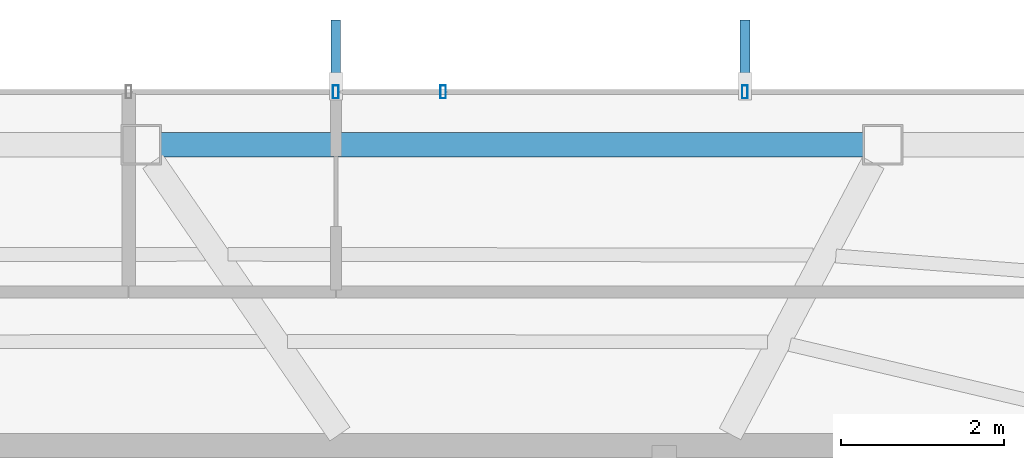
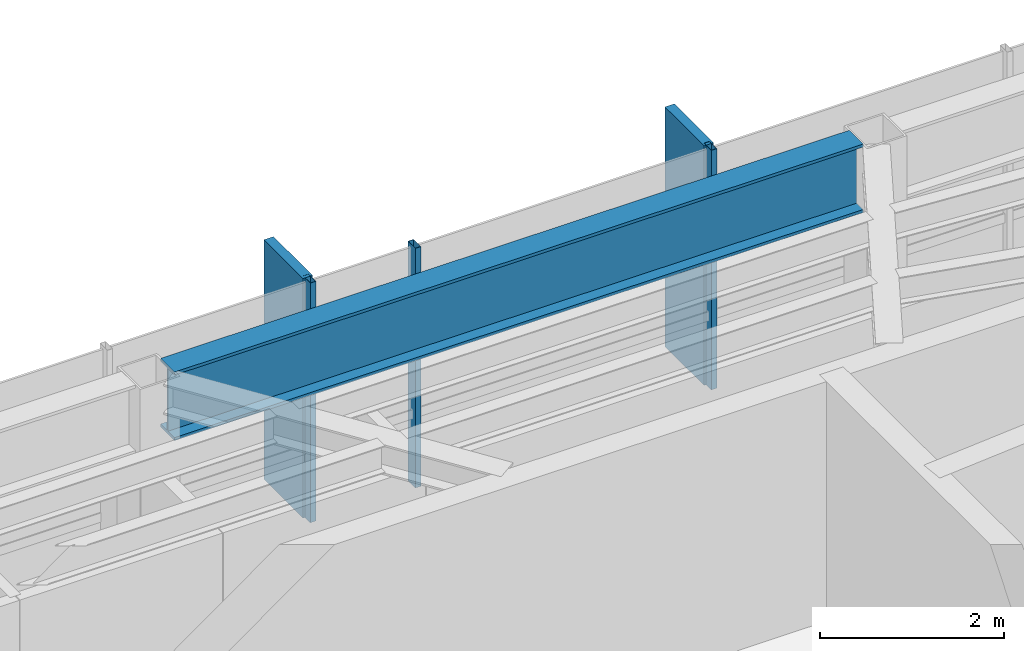
# One storey, part 14 of 24: 5 members, 1 beam, 1 element without a shape of its own.
"""IFC4 building model written with IfcOpenShell, lengths in metres."""

from ifc_helpers import new_model, si_unit, direction, frame, origin, origin_2d, place, context, subcontext, project, spatial, rectangle, hollow_rectangle, i_section, extrude, material, layer, layer_set, material_profile, profile_set, type_object, element, aggregate, save


model = new_model("IFC4")

# Units and contexts
model_context = context("Model", 3, precision=1e-05, world=origin(), true_north=direction((0.0, 1.0)))
body_context = subcontext(model_context, "Body", "Model", "MODEL_VIEW")
ifc_project = project(units=[si_unit("LENGTHUNIT", "METRE"), si_unit("AREAUNIT", "SQUARE_METRE"), si_unit("VOLUMEUNIT", "CUBIC_METRE"), si_unit("PLANEANGLEUNIT", "RADIAN"), si_unit("MASSUNIT", "GRAM", prefix="KILO")], contexts=[model_context])

# Site, building, storey
site_placement = place(None, origin())
site = spatial("IfcSite", under=ifc_project, at=site_placement, CompositionType="ELEMENT")
building_placement = place(site_placement, origin())
building = spatial("IfcBuilding", under=site, at=building_placement, Name="Zarrinselat Tower", CompositionType="ELEMENT")
storey_placement = place(building_placement, frame((0.0, 0.0, 268.60009765625)))
storey = spatial("IfcBuildingStorey", under=building, at=storey_placement, Name="L68", CompositionType="ELEMENT", Elevation=268.60009765625)

# Beam
ifc_material_1 = material(Name="Steel S460M", Category="steel")
ifc_material_profile_1 = material_profile(ifc_material_1, i_section(OverallWidth=0.302001953125, OverallDepth=0.909912109375, WebThickness=0.02099609375, FlangeThickness=0.0400390625, at=origin_2d()), Name="HEM 900")
ifc_profile_set_1 = profile_set([ifc_material_profile_1], Name="Steel S460M")
beam_type = type_object("IfcBeamType", Name="BM-HEM900", PredefinedType="BEAM", material=ifc_profile_set_1)
beam_placement = place(storey_placement, frame((38.79345703125, 47.10009765625, 2.724853515625), z_axis=(1.0, 0.0, 0.0), x_axis=(0.0, 1.0, 0.0)))
element("IfcBeam", 1, at=beam_placement, inside=storey, type_object=beam_type, Name="L68 Perimeter Spandrel Girder SP02", PredefinedType="BEAM", context=body_context, shape_type="SweptSolid", body=[
    extrude(i_section(OverallWidth=0.302001953125, OverallDepth=0.909912109375, WebThickness=0.02099609375, FlangeThickness=0.0400390625, at=origin_2d()), origin(), (0.0, 0.0, 1.0), 8.64794921875),
])

# Curtain wall, members
ifc_material_2 = material(Name="Extruded Aluminium Alloy EN AW-6063 T6", Category="aluminium")
ifc_layer = layer(ifc_material_2, 0.169921875)
ifc_layer_set = layer_set([ifc_layer], Name="Extruded Aluminium Alloy EN AW-6063 T6")
curtain_wall_type = type_object("IfcCurtainWallType", Name="CWS-RES", PredefinedType="NOTDEFINED", material=ifc_layer_set)
curtain_wall_placement = place(storey_placement, origin())
curtain_wall = element("IfcCurtainWall", 2, at=curtain_wall_placement, inside=storey, type_object=curtain_wall_type, Name="L68 Unitised Curtain Wall CW-L68-E01", PredefinedType="NOTDEFINED")
ifc_material_3 = material(Name="Extruded Aluminium Alloy EN AW-6063 T6", Category="aluminium")
ifc_material_profile_2 = material_profile(ifc_material_3, hollow_rectangle(XDim=0.070068359375, YDim=0.159912109375, WallThickness=0.00390625, at=origin_2d()), Name="RHS 160x70x4")
ifc_profile_set_2 = profile_set([ifc_material_profile_2], Name="Extruded Aluminium Alloy EN AW-6063 T6")
member_type_1 = type_object("IfcMemberType", Name="MEM-CW-MUL2", PredefinedType="MULLION", material=ifc_profile_set_2)
member_1_placement = place(storey_placement, frame((45.9833984375, 47.75, 0.0), z_axis=(0.0, 0.0, 1.0), x_axis=(-1.0, 0.0, 0.0)))
member_1 = element("IfcMember", 3, at=member_1_placement, type_object=member_type_1, Name="CW-L68-E01 Mullion 3", PredefinedType="MULLION", context=body_context, shape_type="SweptSolid", body=[
    extrude(hollow_rectangle(XDim=0.070068359375, YDim=0.159912109375, WallThickness=0.00390625, at=origin_2d()), origin(), (0.0, 0.0, 1.0), 3.179931640625),
])
member_2_placement = place(storey_placement, frame((42.269287109375, 47.75, 0.0), z_axis=(0.0, 0.0, 1.0), x_axis=(-1.0, 0.0, 0.0)))
member_2 = element("IfcMember", 4, at=member_2_placement, type_object=member_type_1, Name="CW-L68-E01 Mullion 4", PredefinedType="MULLION", context=body_context, shape_type="SweptSolid", body=[
    extrude(hollow_rectangle(XDim=0.070068359375, YDim=0.159912109375, WallThickness=0.00390625, at=origin_2d()), origin(), (0.0, 0.0, 1.0), 3.179931640625),
])
member_3_placement = place(storey_placement, frame((40.949951171875, 47.75, 0.0), z_axis=(0.0, 0.0, 1.0), x_axis=(-1.0, 0.0, 0.0)))
member_3 = element("IfcMember", 5, at=member_3_placement, type_object=member_type_1, Name="CW-L68-E01 Mullion 5", PredefinedType="MULLION", context=body_context, shape_type="SweptSolid", body=[
    extrude(hollow_rectangle(XDim=0.070068359375, YDim=0.159912109375, WallThickness=0.00390625, at=origin_2d()), origin(), (0.0, 0.0, 1.0), 3.179931640625),
])
ifc_material_4 = material(Name="Honed Cream Travertine Stone", Category="masonry")
ifc_material_profile_3 = material_profile(ifc_material_4, rectangle(XDim=0.1201171875, YDim=0.85009765625, at=origin_2d()), Name="FIN 850x120")
ifc_profile_set_3 = profile_set([ifc_material_profile_3], Name="Honed Cream Travertine Stone")
member_type_2 = type_object("IfcMemberType", Name="MEM-STONE-FIN", PredefinedType="USERDEFINED", material=ifc_profile_set_3)
member_4_placement = place(storey_placement, frame((45.9833984375, 48.2099609375, 0.0), z_axis=(0.0, 0.0, 1.0), x_axis=(1.0, 0.0, 0.0)))
member_4 = element("IfcMember", 6, at=member_4_placement, type_object=member_type_2, Name="L68 Stone Shading Fin CW-L68-E01-03", ObjectType="FIN", PredefinedType="USERDEFINED", context=body_context, shape_type="SweptSolid", body=[
    extrude(rectangle(XDim=0.1201171875, YDim=0.85009765625, at=origin_2d()), origin(), (0.0, 0.0, 1.0), 3.179931640625),
])
member_5_placement = place(storey_placement, frame((40.949951171875, 48.2099609375, 0.0), z_axis=(0.0, 0.0, 1.0), x_axis=(1.0, 0.0, 0.0)))
member_5 = element("IfcMember", 7, at=member_5_placement, type_object=member_type_2, Name="L68 Stone Shading Fin CW-L68-E01-05", ObjectType="FIN", PredefinedType="USERDEFINED", context=body_context, shape_type="SweptSolid", body=[
    extrude(rectangle(XDim=0.1201171875, YDim=0.85009765625, at=origin_2d()), origin(), (0.0, 0.0, 1.0), 3.179931640625),
])
aggregate(curtain_wall, [member_1, member_4, member_2, member_3, member_5])

save(model, "model.ifc")
